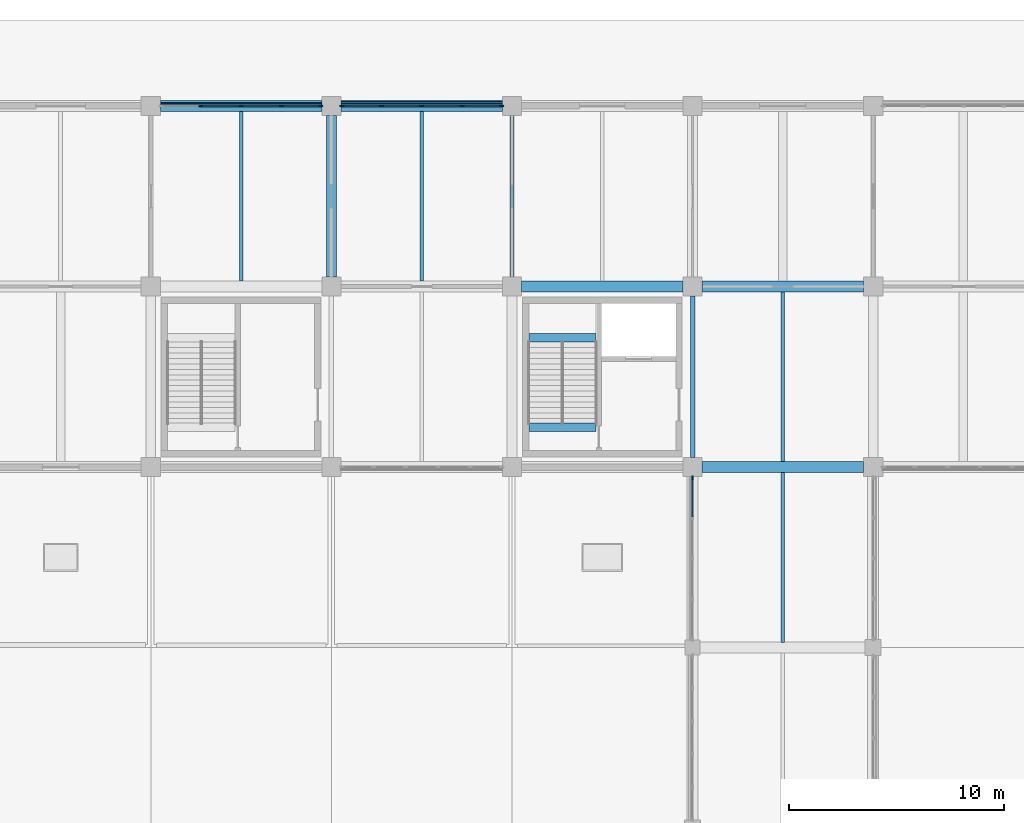
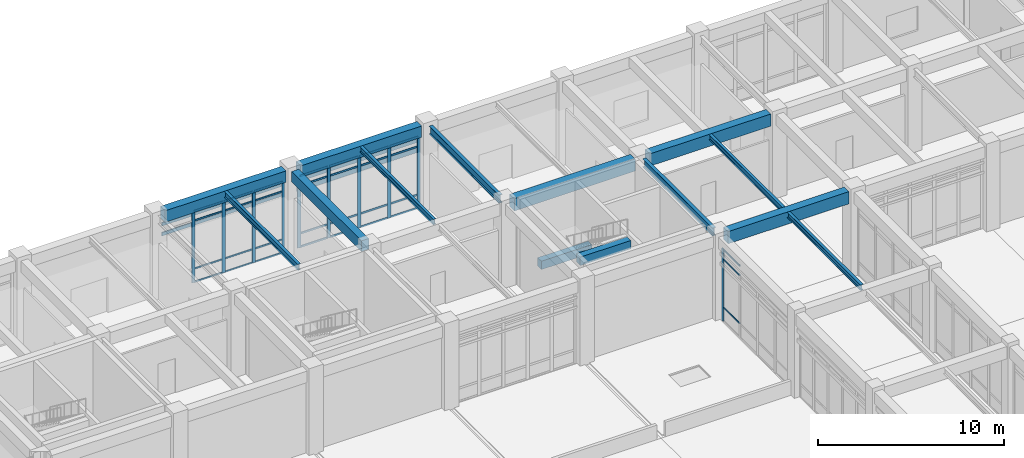
# One storey, part 31 of 91: 45 members, 14 beams, 3 elements without a shape of their own.
"""IFC4 building model written with IfcOpenShell, lengths in metres."""

from ifc_helpers import new_model, si_unit, direction, frame, origin, origin_2d, place, context, subcontext, project, spatial, rectangle, i_section, extrude, material, layer, layer_set, material_profile, profile_set, type_object, element, aggregate, save


model = new_model("IFC4")

# Units and contexts
model_context = context("Model", 3, precision=1e-05, world=origin(), true_north=direction((0.0, 1.0)))
body_context = subcontext(model_context, "Body", "Model", "MODEL_VIEW")
ifc_project = project(units=[si_unit("LENGTHUNIT", "METRE"), si_unit("AREAUNIT", "SQUARE_METRE"), si_unit("VOLUMEUNIT", "CUBIC_METRE"), si_unit("PLANEANGLEUNIT", "RADIAN"), si_unit("MASSUNIT", "GRAM", prefix="KILO")], contexts=[model_context])

# Site, building, storey
site_placement = place(None, origin())
site = spatial("IfcSite", under=ifc_project, at=site_placement, CompositionType="ELEMENT")
building_placement = place(site_placement, origin())
building = spatial("IfcBuilding", under=site, at=building_placement, Name="Porcellanite Civic Hall", CompositionType="ELEMENT")
storey_placement = place(building_placement, origin())
storey = spatial("IfcBuildingStorey", under=building, at=storey_placement, Name="L00", CompositionType="ELEMENT", Elevation=0.0)

# Beams
ifc_material_1 = material(Name="Concrete N50 (50 MPa)", Category="concrete")
ifc_material_profile_1 = material_profile(ifc_material_1, rectangle(XDim=0.39990234375, YDim=0.550048828125, at=origin_2d()), Name="RC-400x550")
ifc_profile_set_1 = profile_set([ifc_material_profile_1], Name="Concrete N50 (50 MPa)")
beam_type_1 = type_object("IfcBeamType", Name="BM-RC550", PredefinedType="JOIST", material=ifc_profile_set_1)
for number, where, z_axis, x_axis, name in (
    (1, (109.98046875, 106.824951171875, 2.425048828125), (1.0, 0.0, 0.0), (0.0, 1.0, 0.0), "Stair landing beam C4 L00"),
    (2, (109.98046875, 102.64990234375, 5.22509765625), (1.0, 0.0, 0.0), (0.0, 1.0, 0.0), "Stair header beam C4 L00"),
):
    element("IfcBeam", number, at=place(storey_placement, frame(where, z_axis=z_axis, x_axis=x_axis)), inside=storey, type_object=beam_type_1, Name=name, PredefinedType="JOIST", context=body_context, shape_type="SweptSolid", body=[
        extrude(rectangle(XDim=0.39990234375, YDim=0.550048828125, at=origin_2d()), origin(), (0.0, 0.0, 1.0), 3.138916015625),
    ])
ifc_material_2 = material(Name="Concrete N50 (50 MPa)", Category="concrete")
ifc_material_profile_2 = material_profile(ifc_material_2, rectangle(XDim=0.449951171875, YDim=0.699951171875, at=origin_2d()), Name="RC-450x700")
ifc_profile_set_2 = profile_set([ifc_material_profile_2], Name="Concrete N50 (50 MPa)")
beam_type_2 = type_object("IfcBeamType", Name="BM-RC700", PredefinedType="BEAM", material=ifc_profile_set_2)
beam_1_placement = place(storey_placement, frame((100.800048828125, 109.6494140625, 5.14990234375), z_axis=(0.0, 1.0, 0.0), x_axis=(-1.0, 0.0, 0.0)))
element("IfcBeam", 3, at=beam_1_placement, inside=storey, type_object=beam_type_2, Name="Beam Y L00 13-14", PredefinedType="BEAM", context=body_context, shape_type="SweptSolid", body=[
    extrude(rectangle(XDim=0.449951171875, YDim=0.699951171875, at=origin_2d()), origin(), (0.0, 0.0, 1.0), 7.5009765625),
])
ifc_material_3 = material(Name="Concrete N50 (50 MPa)", Category="concrete")
ifc_material_profile_3 = material_profile(ifc_material_3, rectangle(XDim=0.5, YDim=0.75, at=origin_2d()), Name="RC-500x750")
ifc_profile_set_3 = profile_set([ifc_material_profile_3], Name="Concrete N50 (50 MPa)")
beam_type_3 = type_object("IfcBeamType", Name="BM-RC750", PredefinedType="SPANDREL", material=ifc_profile_set_3)
for number, where, z_axis, x_axis, name in (
    (4, (92.849609375, 117.60009765625, 5.125), (1.0, 0.0, 0.0), (0.0, 1.0, 0.0), "Beam X L00 12-15"),
    (5, (101.24951171875, 117.60009765625, 5.125), (1.0, 0.0, 0.0), (0.0, 1.0, 0.0), "Beam X L00 13-15"),
):
    element("IfcBeam", number, at=place(storey_placement, frame(where, z_axis=z_axis, x_axis=x_axis)), inside=storey, type_object=beam_type_3, Name=name, PredefinedType="SPANDREL", context=body_context, shape_type="SweptSolid", body=[
        extrude(rectangle(XDim=0.5, YDim=0.75, at=origin_2d()), origin(), (0.0, 0.0, 1.0), 7.5009765625),
    ])
ifc_material_4 = material(Name="Concrete N50 (50 MPa)", Category="concrete")
ifc_material_profile_4 = material_profile(ifc_material_4, rectangle(XDim=0.5, YDim=0.800048828125, at=origin_2d()), Name="RC-500x800")
ifc_profile_set_4 = profile_set([ifc_material_profile_4], Name="Concrete N50 (50 MPa)")
beam_type_4 = type_object("IfcBeamType", Name="BM-RC800", PredefinedType="BEAM", material=ifc_profile_set_4)
for number, where, z_axis, x_axis, name in (
    (6, (109.6494140625, 109.199951171875, 5.10009765625), (1.0, 0.0, 0.0), (0.0, 1.0, 0.0), "Beam X L00 14-14"),
    (7, (118.049560546875, 100.800048828125, 5.10009765625), (1.0, 0.0, 0.0), (0.0, 1.0, 0.0), "Beam X L00 15-13"),
    (8, (118.049560546875, 109.199951171875, 5.10009765625), (1.0, 0.0, 0.0), (0.0, 1.0, 0.0), "Beam X L00 15-14"),
):
    element("IfcBeam", number, at=place(storey_placement, frame(where, z_axis=z_axis, x_axis=x_axis)), inside=storey, type_object=beam_type_4, Name=name, PredefinedType="BEAM", context=body_context, shape_type="SweptSolid", body=[
        extrude(rectangle(XDim=0.5, YDim=0.800048828125, at=origin_2d()), origin(), (0.0, 0.0, 1.0), 7.5009765625),
    ])

# Curtain wall, members
ifc_material_5 = material(Name="Anodised aluminium and solar laminated glass", Category="aluminium")
ifc_layer_1 = layer(ifc_material_5, 0.179931640625)
ifc_layer_set_1 = layer_set([ifc_layer_1], Name="Anodised aluminium and solar laminated glass")
curtain_wall_type_1 = type_object("IfcCurtainWallType", Name="CW-SYS03", PredefinedType="NOTDEFINED", material=ifc_layer_set_1)
curtain_wall_1_placement = place(storey_placement, origin())
curtain_wall_1 = element("IfcCurtainWall", 9, at=curtain_wall_1_placement, inside=storey, type_object=curtain_wall_type_1, Name="Curtain wall CW-036", PredefinedType="NOTDEFINED")
ifc_material_6 = material(Name="Anodised aluminium 6063-T6", Category="aluminium")
ifc_material_profile_5 = material_profile(ifc_material_6, rectangle(XDim=0.080078125, YDim=0.2099609375, at=origin_2d()), Name="AL-80x210")
ifc_profile_set_5 = profile_set([ifc_material_profile_5], Name="Anodised aluminium 6063-T6")
member_type_1 = type_object("IfcMemberType", Name="CWM-02", PredefinedType="MULLION", material=ifc_profile_set_5)
member_1_placement = place(storey_placement, frame((101.291015625, 117.60009765625, 0.0), z_axis=(0.0, 0.0, 1.0), x_axis=(0.0, 1.0, 0.0)))
member_1 = element("IfcMember", 10, at=member_1_placement, type_object=member_type_1, Name="CW-036 mullion 1", PredefinedType="MULLION", context=body_context, shape_type="SweptSolid", body=[
    extrude(rectangle(XDim=0.080078125, YDim=0.2099609375, at=origin_2d()), origin(), (0.0, 0.0, 1.0), 4.699951171875),
])
member_2_placement = place(storey_placement, frame((103.12548828125, 117.60009765625, 0.0), z_axis=(0.0, 0.0, 1.0), x_axis=(0.0, 1.0, 0.0)))
member_2 = element("IfcMember", 11, at=member_2_placement, type_object=member_type_1, Name="CW-036 mullion 2", PredefinedType="MULLION", context=body_context, shape_type="SweptSolid", body=[
    extrude(rectangle(XDim=0.080078125, YDim=0.2099609375, at=origin_2d()), origin(), (0.0, 0.0, 1.0), 4.699951171875),
])
member_3_placement = place(storey_placement, frame((105.0, 117.60009765625, 0.0), z_axis=(0.0, 0.0, 1.0), x_axis=(0.0, 1.0, 0.0)))
member_3 = element("IfcMember", 12, at=member_3_placement, type_object=member_type_1, Name="CW-036 mullion 3", PredefinedType="MULLION", context=body_context, shape_type="SweptSolid", body=[
    extrude(rectangle(XDim=0.080078125, YDim=0.2099609375, at=origin_2d()), origin(), (0.0, 0.0, 1.0), 4.699951171875),
])
member_4_placement = place(storey_placement, frame((106.87451171875, 117.60009765625, 0.0), z_axis=(0.0, 0.0, 1.0), x_axis=(0.0, 1.0, 0.0)))
member_4 = element("IfcMember", 13, at=member_4_placement, type_object=member_type_1, Name="CW-036 mullion 4", PredefinedType="MULLION", context=body_context, shape_type="SweptSolid", body=[
    extrude(rectangle(XDim=0.080078125, YDim=0.2099609375, at=origin_2d()), origin(), (0.0, 0.0, 1.0), 4.699951171875),
])
member_5_placement = place(storey_placement, frame((108.708984375, 117.60009765625, 0.0), z_axis=(0.0, 0.0, 1.0), x_axis=(0.0, 1.0, 0.0)))
member_5 = element("IfcMember", 14, at=member_5_placement, type_object=member_type_1, Name="CW-036 mullion 5", PredefinedType="MULLION", context=body_context, shape_type="SweptSolid", body=[
    extrude(rectangle(XDim=0.080078125, YDim=0.2099609375, at=origin_2d()), origin(), (0.0, 0.0, 1.0), 4.699951171875),
])

ifc_material_7 = material(Name="Anodised aluminium and solar laminated glass", Category="aluminium")
ifc_layer_2 = layer(ifc_material_7, 0.179931640625)
ifc_layer_set_2 = layer_set([ifc_layer_2], Name="Anodised aluminium and solar laminated glass")
curtain_wall_type_2 = type_object("IfcCurtainWallType", Name="CW-SYS04", PredefinedType="NOTDEFINED", material=ifc_layer_set_2)
curtain_wall_2_placement = place(storey_placement, origin())
curtain_wall_2 = element("IfcCurtainWall", 15, at=curtain_wall_2_placement, inside=storey, type_object=curtain_wall_type_2, Name="Curtain wall CW-031", PredefinedType="NOTDEFINED")
ifc_material_8 = material(Name="Anodised aluminium 6063-T6", Category="aluminium")
ifc_material_profile_6 = material_profile(ifc_material_8, rectangle(XDim=0.074951171875, YDim=0.18994140625, at=origin_2d()), Name="AL-75x190")
ifc_profile_set_6 = profile_set([ifc_material_profile_6], Name="Anodised aluminium 6063-T6")
member_type_2 = type_object("IfcMemberType", Name="CWM-04", PredefinedType="MULLION", material=ifc_profile_set_6)
member_6_placement = place(storey_placement, frame((94.7255859375, 117.60009765625, 0.0), z_axis=(0.0, 0.0, 1.0), x_axis=(0.0, 1.0, 0.0)))
member_6 = element("IfcMember", 16, at=member_6_placement, type_object=member_type_2, Name="CW-031 mullion 2", PredefinedType="MULLION", context=body_context, shape_type="SweptSolid", body=[
    extrude(rectangle(XDim=0.074951171875, YDim=0.18994140625, at=origin_2d()), origin(), (0.0, 0.0, 1.0), 4.699951171875),
])
member_7_placement = place(storey_placement, frame((96.60009765625, 117.60009765625, 0.0), z_axis=(0.0, 0.0, 1.0), x_axis=(0.0, 1.0, 0.0)))
member_7 = element("IfcMember", 17, at=member_7_placement, type_object=member_type_2, Name="CW-031 mullion 3", PredefinedType="MULLION", context=body_context, shape_type="SweptSolid", body=[
    extrude(rectangle(XDim=0.074951171875, YDim=0.18994140625, at=origin_2d()), origin(), (0.0, 0.0, 1.0), 4.699951171875),
])
member_8_placement = place(storey_placement, frame((98.474609375, 117.60009765625, 0.0), z_axis=(0.0, 0.0, 1.0), x_axis=(0.0, 1.0, 0.0)))
member_8 = element("IfcMember", 18, at=member_8_placement, type_object=member_type_2, Name="CW-031 mullion 4", PredefinedType="MULLION", context=body_context, shape_type="SweptSolid", body=[
    extrude(rectangle(XDim=0.074951171875, YDim=0.18994140625, at=origin_2d()), origin(), (0.0, 0.0, 1.0), 4.699951171875),
])
member_9_placement = place(storey_placement, frame((100.3115234375, 117.60009765625, 0.0), z_axis=(0.0, 0.0, 1.0), x_axis=(0.0, 1.0, 0.0)))
member_9 = element("IfcMember", 19, at=member_9_placement, type_object=member_type_2, Name="CW-031 mullion 5", PredefinedType="MULLION", context=body_context, shape_type="SweptSolid", body=[
    extrude(rectangle(XDim=0.074951171875, YDim=0.18994140625, at=origin_2d()), origin(), (0.0, 0.0, 1.0), 4.699951171875),
])

# Curtain wall, member
curtain_wall_3_placement = place(storey_placement, origin())
curtain_wall_3 = element("IfcCurtainWall", 20, at=curtain_wall_3_placement, inside=storey, type_object=curtain_wall_type_2, Name="Curtain wall CW-043", PredefinedType="NOTDEFINED")
member_10_placement = place(storey_placement, frame((117.60009765625, 100.3115234375, 0.0), z_axis=(0.0, 0.0, 1.0), x_axis=(-1.0, 0.0, 0.0)))
member_10 = element("IfcMember", 21, at=member_10_placement, type_object=member_type_2, Name="CW-043 mullion 5", PredefinedType="MULLION", context=body_context, shape_type="SweptSolid", body=[
    extrude(rectangle(XDim=0.074951171875, YDim=0.18994140625, at=origin_2d()), origin(), (0.0, 0.0, 1.0), 4.699951171875),
])

# Member
ifc_material_9 = material(Name="Anodised aluminium 6063-T6", Category="aluminium")
ifc_material_profile_7 = material_profile(ifc_material_9, rectangle(XDim=0.054931640625, YDim=0.1201171875, at=origin_2d()), Name="AL-55x120")
ifc_profile_set_7 = profile_set([ifc_material_profile_7], Name="Anodised aluminium 6063-T6")
member_type_3 = type_object("IfcMemberType", Name="CWT-04", PredefinedType="USERDEFINED", material=ifc_profile_set_7)
member_11_placement = place(storey_placement, frame((101.3310546875, 117.60009765625, 0.027587890625), z_axis=(1.0, 0.0, 0.0), x_axis=(0.0, 1.0, 0.0)))
member_11 = element("IfcMember", 22, at=member_11_placement, type_object=member_type_3, Name="CW-036 transom 1.1", ObjectType="TRANSOM", PredefinedType="USERDEFINED", context=body_context, shape_type="SweptSolid", body=[
    extrude(rectangle(XDim=0.054931640625, YDim=0.1201171875, at=origin_2d()), origin(), (0.0, 0.0, 1.0), 1.75439453125),
])

member_12_placement = place(storey_placement, frame((101.3310546875, 117.60009765625, 0.89990234375), z_axis=(1.0, 0.0, 0.0), x_axis=(0.0, 1.0, 0.0)))
member_12 = element("IfcMember", 23, at=member_12_placement, type_object=member_type_3, Name="CW-036 transom 1.2", ObjectType="TRANSOM", PredefinedType="USERDEFINED", context=body_context, shape_type="SweptSolid", body=[
    extrude(rectangle(XDim=0.054931640625, YDim=0.1201171875, at=origin_2d()), origin(), (0.0, 0.0, 1.0), 1.75439453125),
])

member_13_placement = place(storey_placement, frame((101.3310546875, 117.60009765625, 4.050048828125), z_axis=(1.0, 0.0, 0.0), x_axis=(0.0, 1.0, 0.0)))
member_13 = element("IfcMember", 24, at=member_13_placement, type_object=member_type_3, Name="CW-036 transom 1.3", ObjectType="TRANSOM", PredefinedType="USERDEFINED", context=body_context, shape_type="SweptSolid", body=[
    extrude(rectangle(XDim=0.054931640625, YDim=0.1201171875, at=origin_2d()), origin(), (0.0, 0.0, 1.0), 1.75439453125),
])

member_14_placement = place(storey_placement, frame((101.3310546875, 117.60009765625, 4.672607421875), z_axis=(1.0, 0.0, 0.0), x_axis=(0.0, 1.0, 0.0)))
member_14 = element("IfcMember", 25, at=member_14_placement, type_object=member_type_3, Name="CW-036 transom 1.4", ObjectType="TRANSOM", PredefinedType="USERDEFINED", context=body_context, shape_type="SweptSolid", body=[
    extrude(rectangle(XDim=0.054931640625, YDim=0.1201171875, at=origin_2d()), origin(), (0.0, 0.0, 1.0), 1.75439453125),
])

member_15_placement = place(storey_placement, frame((103.16552734375, 117.60009765625, 0.027587890625), z_axis=(1.0, 0.0, 0.0), x_axis=(0.0, 1.0, 0.0)))
member_15 = element("IfcMember", 26, at=member_15_placement, type_object=member_type_3, Name="CW-036 transom 2.1", ObjectType="TRANSOM", PredefinedType="USERDEFINED", context=body_context, shape_type="SweptSolid", body=[
    extrude(rectangle(XDim=0.054931640625, YDim=0.1201171875, at=origin_2d()), origin(), (0.0, 0.0, 1.0), 1.79443359375),
])

member_16_placement = place(storey_placement, frame((103.16552734375, 117.60009765625, 0.89990234375), z_axis=(1.0, 0.0, 0.0), x_axis=(0.0, 1.0, 0.0)))
member_16 = element("IfcMember", 27, at=member_16_placement, type_object=member_type_3, Name="CW-036 transom 2.2", ObjectType="TRANSOM", PredefinedType="USERDEFINED", context=body_context, shape_type="SweptSolid", body=[
    extrude(rectangle(XDim=0.054931640625, YDim=0.1201171875, at=origin_2d()), origin(), (0.0, 0.0, 1.0), 1.79443359375),
])

member_17_placement = place(storey_placement, frame((103.16552734375, 117.60009765625, 4.050048828125), z_axis=(1.0, 0.0, 0.0), x_axis=(0.0, 1.0, 0.0)))
member_17 = element("IfcMember", 28, at=member_17_placement, type_object=member_type_3, Name="CW-036 transom 2.3", ObjectType="TRANSOM", PredefinedType="USERDEFINED", context=body_context, shape_type="SweptSolid", body=[
    extrude(rectangle(XDim=0.054931640625, YDim=0.1201171875, at=origin_2d()), origin(), (0.0, 0.0, 1.0), 1.79443359375),
])

member_18_placement = place(storey_placement, frame((103.16552734375, 117.60009765625, 4.672607421875), z_axis=(1.0, 0.0, 0.0), x_axis=(0.0, 1.0, 0.0)))
member_18 = element("IfcMember", 29, at=member_18_placement, type_object=member_type_3, Name="CW-036 transom 2.4", ObjectType="TRANSOM", PredefinedType="USERDEFINED", context=body_context, shape_type="SweptSolid", body=[
    extrude(rectangle(XDim=0.054931640625, YDim=0.1201171875, at=origin_2d()), origin(), (0.0, 0.0, 1.0), 1.79443359375),
])

member_19_placement = place(storey_placement, frame((105.0400390625, 117.60009765625, 0.027587890625), z_axis=(1.0, 0.0, 0.0), x_axis=(0.0, 1.0, 0.0)))
member_19 = element("IfcMember", 30, at=member_19_placement, type_object=member_type_3, Name="CW-036 transom 3.1", ObjectType="TRANSOM", PredefinedType="USERDEFINED", context=body_context, shape_type="SweptSolid", body=[
    extrude(rectangle(XDim=0.054931640625, YDim=0.1201171875, at=origin_2d()), origin(), (0.0, 0.0, 1.0), 1.79443359375),
])

member_20_placement = place(storey_placement, frame((105.0400390625, 117.60009765625, 0.89990234375), z_axis=(1.0, 0.0, 0.0), x_axis=(0.0, 1.0, 0.0)))
member_20 = element("IfcMember", 31, at=member_20_placement, type_object=member_type_3, Name="CW-036 transom 3.2", ObjectType="TRANSOM", PredefinedType="USERDEFINED", context=body_context, shape_type="SweptSolid", body=[
    extrude(rectangle(XDim=0.054931640625, YDim=0.1201171875, at=origin_2d()), origin(), (0.0, 0.0, 1.0), 1.79443359375),
])

member_21_placement = place(storey_placement, frame((105.0400390625, 117.60009765625, 4.050048828125), z_axis=(1.0, 0.0, 0.0), x_axis=(0.0, 1.0, 0.0)))
member_21 = element("IfcMember", 32, at=member_21_placement, type_object=member_type_3, Name="CW-036 transom 3.3", ObjectType="TRANSOM", PredefinedType="USERDEFINED", context=body_context, shape_type="SweptSolid", body=[
    extrude(rectangle(XDim=0.054931640625, YDim=0.1201171875, at=origin_2d()), origin(), (0.0, 0.0, 1.0), 1.79443359375),
])

member_22_placement = place(storey_placement, frame((105.0400390625, 117.60009765625, 4.672607421875), z_axis=(1.0, 0.0, 0.0), x_axis=(0.0, 1.0, 0.0)))
member_22 = element("IfcMember", 33, at=member_22_placement, type_object=member_type_3, Name="CW-036 transom 3.4", ObjectType="TRANSOM", PredefinedType="USERDEFINED", context=body_context, shape_type="SweptSolid", body=[
    extrude(rectangle(XDim=0.054931640625, YDim=0.1201171875, at=origin_2d()), origin(), (0.0, 0.0, 1.0), 1.79443359375),
])

member_23_placement = place(storey_placement, frame((106.91455078125, 117.60009765625, 0.027587890625), z_axis=(1.0, 0.0, 0.0), x_axis=(0.0, 1.0, 0.0)))
member_23 = element("IfcMember", 34, at=member_23_placement, type_object=member_type_3, Name="CW-036 transom 4.1", ObjectType="TRANSOM", PredefinedType="USERDEFINED", context=body_context, shape_type="SweptSolid", body=[
    extrude(rectangle(XDim=0.054931640625, YDim=0.1201171875, at=origin_2d()), origin(), (0.0, 0.0, 1.0), 1.75439453125),
])

member_24_placement = place(storey_placement, frame((106.91455078125, 117.60009765625, 0.89990234375), z_axis=(1.0, 0.0, 0.0), x_axis=(0.0, 1.0, 0.0)))
member_24 = element("IfcMember", 35, at=member_24_placement, type_object=member_type_3, Name="CW-036 transom 4.2", ObjectType="TRANSOM", PredefinedType="USERDEFINED", context=body_context, shape_type="SweptSolid", body=[
    extrude(rectangle(XDim=0.054931640625, YDim=0.1201171875, at=origin_2d()), origin(), (0.0, 0.0, 1.0), 1.75439453125),
])

member_25_placement = place(storey_placement, frame((106.91455078125, 117.60009765625, 4.050048828125), z_axis=(1.0, 0.0, 0.0), x_axis=(0.0, 1.0, 0.0)))
member_25 = element("IfcMember", 36, at=member_25_placement, type_object=member_type_3, Name="CW-036 transom 4.3", ObjectType="TRANSOM", PredefinedType="USERDEFINED", context=body_context, shape_type="SweptSolid", body=[
    extrude(rectangle(XDim=0.054931640625, YDim=0.1201171875, at=origin_2d()), origin(), (0.0, 0.0, 1.0), 1.75439453125),
])

member_26_placement = place(storey_placement, frame((106.91455078125, 117.60009765625, 4.672607421875), z_axis=(1.0, 0.0, 0.0), x_axis=(0.0, 1.0, 0.0)))
member_26 = element("IfcMember", 37, at=member_26_placement, type_object=member_type_3, Name="CW-036 transom 4.4", ObjectType="TRANSOM", PredefinedType="USERDEFINED", context=body_context, shape_type="SweptSolid", body=[
    extrude(rectangle(XDim=0.054931640625, YDim=0.1201171875, at=origin_2d()), origin(), (0.0, 0.0, 1.0), 1.75439453125),
])

aggregate(curtain_wall_1, [member_1, member_2, member_3, member_4, member_5, member_11, member_12, member_13, member_14, member_15, member_16, member_17, member_18, member_19, member_20, member_21, member_22, member_23, member_24, member_25, member_26])

ifc_material_10 = material(Name="Anodised aluminium 6063-T6", Category="aluminium")
ifc_material_profile_8 = material_profile(ifc_material_10, rectangle(XDim=0.054931640625, YDim=0.10009765625, at=origin_2d()), Name="AL-55x100")
ifc_profile_set_8 = profile_set([ifc_material_profile_8], Name="Anodised aluminium 6063-T6")
member_type_4 = type_object("IfcMemberType", Name="CWT-05", PredefinedType="USERDEFINED", material=ifc_profile_set_8)
member_27_placement = place(storey_placement, frame((94.762939453125, 117.60009765625, 0.027587890625), z_axis=(1.0, 0.0, 0.0), x_axis=(0.0, 1.0, 0.0)))
member_27 = element("IfcMember", 38, at=member_27_placement, type_object=member_type_4, Name="CW-031 transom 2.1", ObjectType="TRANSOM", PredefinedType="USERDEFINED", context=body_context, shape_type="SweptSolid", body=[
    extrude(rectangle(XDim=0.054931640625, YDim=0.10009765625, at=origin_2d()), origin(), (0.0, 0.0, 1.0), 1.799560546875),
])

member_28_placement = place(storey_placement, frame((94.762939453125, 117.60009765625, 0.89990234375), z_axis=(1.0, 0.0, 0.0), x_axis=(0.0, 1.0, 0.0)))
member_28 = element("IfcMember", 39, at=member_28_placement, type_object=member_type_4, Name="CW-031 transom 2.2", ObjectType="TRANSOM", PredefinedType="USERDEFINED", context=body_context, shape_type="SweptSolid", body=[
    extrude(rectangle(XDim=0.054931640625, YDim=0.10009765625, at=origin_2d()), origin(), (0.0, 0.0, 1.0), 1.799560546875),
])

member_29_placement = place(storey_placement, frame((94.762939453125, 117.60009765625, 4.050048828125), z_axis=(1.0, 0.0, 0.0), x_axis=(0.0, 1.0, 0.0)))
member_29 = element("IfcMember", 40, at=member_29_placement, type_object=member_type_4, Name="CW-031 transom 2.3", ObjectType="TRANSOM", PredefinedType="USERDEFINED", context=body_context, shape_type="SweptSolid", body=[
    extrude(rectangle(XDim=0.054931640625, YDim=0.10009765625, at=origin_2d()), origin(), (0.0, 0.0, 1.0), 1.799560546875),
])

member_30_placement = place(storey_placement, frame((94.762939453125, 117.60009765625, 4.672607421875), z_axis=(1.0, 0.0, 0.0), x_axis=(0.0, 1.0, 0.0)))
member_30 = element("IfcMember", 41, at=member_30_placement, type_object=member_type_4, Name="CW-031 transom 2.4", ObjectType="TRANSOM", PredefinedType="USERDEFINED", context=body_context, shape_type="SweptSolid", body=[
    extrude(rectangle(XDim=0.054931640625, YDim=0.10009765625, at=origin_2d()), origin(), (0.0, 0.0, 1.0), 1.799560546875),
])

member_31_placement = place(storey_placement, frame((96.637451171875, 117.60009765625, 0.027587890625), z_axis=(1.0, 0.0, 0.0), x_axis=(0.0, 1.0, 0.0)))
member_31 = element("IfcMember", 42, at=member_31_placement, type_object=member_type_4, Name="CW-031 transom 3.1", ObjectType="TRANSOM", PredefinedType="USERDEFINED", context=body_context, shape_type="SweptSolid", body=[
    extrude(rectangle(XDim=0.054931640625, YDim=0.10009765625, at=origin_2d()), origin(), (0.0, 0.0, 1.0), 1.799560546875),
])

member_32_placement = place(storey_placement, frame((96.637451171875, 117.60009765625, 0.89990234375), z_axis=(1.0, 0.0, 0.0), x_axis=(0.0, 1.0, 0.0)))
member_32 = element("IfcMember", 43, at=member_32_placement, type_object=member_type_4, Name="CW-031 transom 3.2", ObjectType="TRANSOM", PredefinedType="USERDEFINED", context=body_context, shape_type="SweptSolid", body=[
    extrude(rectangle(XDim=0.054931640625, YDim=0.10009765625, at=origin_2d()), origin(), (0.0, 0.0, 1.0), 1.799560546875),
])

member_33_placement = place(storey_placement, frame((96.637451171875, 117.60009765625, 4.050048828125), z_axis=(1.0, 0.0, 0.0), x_axis=(0.0, 1.0, 0.0)))
member_33 = element("IfcMember", 44, at=member_33_placement, type_object=member_type_4, Name="CW-031 transom 3.3", ObjectType="TRANSOM", PredefinedType="USERDEFINED", context=body_context, shape_type="SweptSolid", body=[
    extrude(rectangle(XDim=0.054931640625, YDim=0.10009765625, at=origin_2d()), origin(), (0.0, 0.0, 1.0), 1.799560546875),
])

member_34_placement = place(storey_placement, frame((96.637451171875, 117.60009765625, 4.672607421875), z_axis=(1.0, 0.0, 0.0), x_axis=(0.0, 1.0, 0.0)))
member_34 = element("IfcMember", 45, at=member_34_placement, type_object=member_type_4, Name="CW-031 transom 3.4", ObjectType="TRANSOM", PredefinedType="USERDEFINED", context=body_context, shape_type="SweptSolid", body=[
    extrude(rectangle(XDim=0.054931640625, YDim=0.10009765625, at=origin_2d()), origin(), (0.0, 0.0, 1.0), 1.799560546875),
])

member_35_placement = place(storey_placement, frame((98.511962890625, 117.60009765625, 0.027587890625), z_axis=(1.0, 0.0, 0.0), x_axis=(0.0, 1.0, 0.0)))
member_35 = element("IfcMember", 46, at=member_35_placement, type_object=member_type_4, Name="CW-031 transom 4.1", ObjectType="TRANSOM", PredefinedType="USERDEFINED", context=body_context, shape_type="SweptSolid", body=[
    extrude(rectangle(XDim=0.054931640625, YDim=0.10009765625, at=origin_2d()), origin(), (0.0, 0.0, 1.0), 1.761962890625),
])

member_36_placement = place(storey_placement, frame((98.511962890625, 117.60009765625, 0.89990234375), z_axis=(1.0, 0.0, 0.0), x_axis=(0.0, 1.0, 0.0)))
member_36 = element("IfcMember", 47, at=member_36_placement, type_object=member_type_4, Name="CW-031 transom 4.2", ObjectType="TRANSOM", PredefinedType="USERDEFINED", context=body_context, shape_type="SweptSolid", body=[
    extrude(rectangle(XDim=0.054931640625, YDim=0.10009765625, at=origin_2d()), origin(), (0.0, 0.0, 1.0), 1.761962890625),
])

member_37_placement = place(storey_placement, frame((98.511962890625, 117.60009765625, 4.050048828125), z_axis=(1.0, 0.0, 0.0), x_axis=(0.0, 1.0, 0.0)))
member_37 = element("IfcMember", 48, at=member_37_placement, type_object=member_type_4, Name="CW-031 transom 4.3", ObjectType="TRANSOM", PredefinedType="USERDEFINED", context=body_context, shape_type="SweptSolid", body=[
    extrude(rectangle(XDim=0.054931640625, YDim=0.10009765625, at=origin_2d()), origin(), (0.0, 0.0, 1.0), 1.761962890625),
])

member_38_placement = place(storey_placement, frame((98.511962890625, 117.60009765625, 4.672607421875), z_axis=(1.0, 0.0, 0.0), x_axis=(0.0, 1.0, 0.0)))
member_38 = element("IfcMember", 49, at=member_38_placement, type_object=member_type_4, Name="CW-031 transom 4.4", ObjectType="TRANSOM", PredefinedType="USERDEFINED", context=body_context, shape_type="SweptSolid", body=[
    extrude(rectangle(XDim=0.054931640625, YDim=0.10009765625, at=origin_2d()), origin(), (0.0, 0.0, 1.0), 1.761962890625),
])

aggregate(curtain_wall_2, [member_6, member_7, member_8, member_9, member_27, member_28, member_29, member_30, member_31, member_32, member_33, member_34, member_35, member_36, member_37, member_38])

member_39_placement = place(storey_placement, frame((117.60009765625, 98.487060546875, 0.89990234375), z_axis=(0.0, 1.0, 0.0), x_axis=(-1.0, 0.0, 0.0)))
member_39 = element("IfcMember", 50, at=member_39_placement, type_object=member_type_4, Name="CW-043 transom 4.2", ObjectType="TRANSOM", PredefinedType="USERDEFINED", context=body_context, shape_type="SweptSolid", body=[
    extrude(rectangle(XDim=0.054931640625, YDim=0.10009765625, at=origin_2d()), origin(), (0.0, 0.0, 1.0), 1.786865234375),
])

member_40_placement = place(storey_placement, frame((117.60009765625, 98.487060546875, 4.050048828125), z_axis=(0.0, 1.0, 0.0), x_axis=(-1.0, 0.0, 0.0)))
member_40 = element("IfcMember", 51, at=member_40_placement, type_object=member_type_4, Name="CW-043 transom 4.3", ObjectType="TRANSOM", PredefinedType="USERDEFINED", context=body_context, shape_type="SweptSolid", body=[
    extrude(rectangle(XDim=0.054931640625, YDim=0.10009765625, at=origin_2d()), origin(), (0.0, 0.0, 1.0), 1.786865234375),
])

member_41_placement = place(storey_placement, frame((117.60009765625, 98.487060546875, 4.672607421875), z_axis=(0.0, 1.0, 0.0), x_axis=(-1.0, 0.0, 0.0)))
member_41 = element("IfcMember", 52, at=member_41_placement, type_object=member_type_4, Name="CW-043 transom 4.4", ObjectType="TRANSOM", PredefinedType="USERDEFINED", context=body_context, shape_type="SweptSolid", body=[
    extrude(rectangle(XDim=0.054931640625, YDim=0.10009765625, at=origin_2d()), origin(), (0.0, 0.0, 1.0), 1.786865234375),
])

aggregate(curtain_wall_3, [member_10, member_39, member_40, member_41])

# Beams
ifc_material_11 = material(Name="Steel Grade 350", Category="steel")
ifc_material_profile_9 = material_profile(ifc_material_11, i_section(OverallWidth=0.1708984375, OverallDepth=0.35595703125, WebThickness=0.00732421875, FlangeThickness=0.011474609375, FilletRadius=0.011474609375, at=origin_2d()), Name="360UB50.7")
ifc_profile_set_9 = profile_set([ifc_material_profile_9], Name="Steel Grade 350")
beam_type_5 = type_object("IfcBeamType", Name="JST-360UB51", PredefinedType="JOIST", material=ifc_profile_set_9)
beam_2_placement = place(storey_placement, frame((121.800048828125, 101.049560546875, 5.322021484375), z_axis=(0.0, 1.0, 0.0), x_axis=(-1.0, 0.0, 0.0)))
element("IfcBeam", 53, at=beam_2_placement, inside=storey, type_object=beam_type_5, Name="Secondary joist L00 15-13", PredefinedType="JOIST", context=body_context, shape_type="SweptSolid", body=[
    extrude(i_section(OverallWidth=0.1708984375, OverallDepth=0.35595703125, WebThickness=0.00732421875, FlangeThickness=0.011474609375, FilletRadius=0.011474609375, at=origin_2d()), origin(), (0.0, 0.0, 1.0), 7.90087890625),
])
ifc_material_12 = material(Name="Steel Grade 350", Category="steel")
ifc_material_profile_10 = material_profile(ifc_material_12, i_section(OverallWidth=0.172119140625, OverallDepth=0.35888671875, WebThickness=0.008056640625, FlangeThickness=0.012939453125, FilletRadius=0.011474609375, at=origin_2d()), Name="360UB56.7")
ifc_profile_set_10 = profile_set([ifc_material_profile_10], Name="Steel Grade 350")
beam_type_6 = type_object("IfcBeamType", Name="JST-360UB57", PredefinedType="JOIST", material=ifc_profile_set_10)
for number, where, z_axis, x_axis, name in (
    (54, (105.0, 109.449462890625, 5.320556640625), (0.0, 1.0, 0.0), (-1.0, 0.0, 0.0), "Secondary joist L00 13-14"),
    (55, (121.800048828125, 92.6494140625, 5.320556640625), (0.0, 1.0, 0.0), (-1.0, 0.0, 0.0), "Secondary joist L00 15-12"),
):
    element("IfcBeam", number, at=place(storey_placement, frame(where, z_axis=z_axis, x_axis=x_axis)), inside=storey, type_object=beam_type_6, Name=name, PredefinedType="JOIST", context=body_context, shape_type="SweptSolid", body=[
        extrude(i_section(OverallWidth=0.172119140625, OverallDepth=0.35888671875, WebThickness=0.008056640625, FlangeThickness=0.012939453125, FilletRadius=0.011474609375, at=origin_2d()), origin(), (0.0, 0.0, 1.0), 7.901123046875),
    ])
ifc_material_13 = material(Name="Steel Grade 350", Category="steel")
ifc_material_profile_11 = material_profile(ifc_material_13, i_section(OverallWidth=0.177978515625, OverallDepth=0.403076171875, WebThickness=0.007568359375, FlangeThickness=0.010986328125, FilletRadius=0.011474609375, at=origin_2d()), Name="410UB53.7")
ifc_profile_set_11 = profile_set([ifc_material_profile_11], Name="Steel Grade 350")
beam_type_7 = type_object("IfcBeamType", Name="JST-410UB54", PredefinedType="JOIST", material=ifc_profile_set_11)
beam_3_placement = place(storey_placement, frame((96.60009765625, 109.449462890625, 5.298583984375), z_axis=(0.0, 1.0, 0.0), x_axis=(-1.0, 0.0, 0.0)))
element("IfcBeam", 56, at=beam_3_placement, inside=storey, type_object=beam_type_7, Name="Secondary joist L00 12-14", PredefinedType="JOIST", context=body_context, shape_type="SweptSolid", body=[
    extrude(i_section(OverallWidth=0.177978515625, OverallDepth=0.403076171875, WebThickness=0.007568359375, FlangeThickness=0.010986328125, FilletRadius=0.011474609375, at=origin_2d()), origin(), (0.0, 0.0, 1.0), 7.901123046875),
])

# Members
ifc_material_14 = material(Name="Fluoropolymer bauxite-red aluminium 6063-T6", Category="aluminium")
ifc_material_profile_12 = material_profile(ifc_material_14, rectangle(XDim=0.090087890625, YDim=0.360107421875, at=origin_2d()), Name="AL-90x360")
ifc_profile_set_12 = profile_set([ifc_material_profile_12], Name="Fluoropolymer bauxite-red aluminium 6063-T6")
member_type_5 = type_object("IfcMemberType", Name="LV-BLD01", PredefinedType="USERDEFINED", material=ifc_profile_set_12)
for number, where, z_axis, x_axis, name in (
    (57, (101.24951171875, 117.751953125, 4.39990234375), (1.0, 0.0, 0.0), (0.0, 1.0, 0.0), "Cyclone sunshade louvre L00 N 12-13 1"),
    (58, (101.24951171875, 117.751953125, 3.75), (1.0, 0.0, 0.0), (0.0, 1.0, 0.0), "Cyclone sunshade louvre L00 N 12-13 2"),
):
    element("IfcMember", number, at=place(storey_placement, frame(where, z_axis=z_axis, x_axis=x_axis)), inside=storey, type_object=member_type_5, Name=name, ObjectType="LOUVRE BLADE", PredefinedType="USERDEFINED", context=body_context, shape_type="SweptSolid", body=[
        extrude(rectangle(XDim=0.090087890625, YDim=0.360107421875, at=origin_2d()), origin(), (0.0, 0.0, 1.0), 7.5009765625),
    ])
ifc_material_15 = material(Name="Fluoropolymer bauxite-red aluminium 6063-T6", Category="aluminium")
ifc_material_profile_13 = material_profile(ifc_material_15, rectangle(XDim=0.06005859375, YDim=0.219970703125, at=origin_2d()), Name="AL-60x220")
ifc_profile_set_13 = profile_set([ifc_material_profile_13], Name="Fluoropolymer bauxite-red aluminium 6063-T6")
member_type_6 = type_object("IfcMemberType", Name="LV-BLD08", PredefinedType="USERDEFINED", material=ifc_profile_set_13)
for number, where, z_axis, x_axis, name in (
    (59, (92.849609375, 117.72705078125, 4.39990234375), (1.0, 0.0, 0.0), (0.0, 1.0, 0.0), "Cyclone sunshade louvre L00 N 11-13 1"),
    (60, (92.849609375, 117.72705078125, 3.75), (1.0, 0.0, 0.0), (0.0, 1.0, 0.0), "Cyclone sunshade louvre L00 N 11-13 2"),
):
    element("IfcMember", number, at=place(storey_placement, frame(where, z_axis=z_axis, x_axis=x_axis)), inside=storey, type_object=member_type_6, Name=name, ObjectType="LOUVRE BLADE", PredefinedType="USERDEFINED", context=body_context, shape_type="SweptSolid", body=[
        extrude(rectangle(XDim=0.06005859375, YDim=0.219970703125, at=origin_2d()), origin(), (0.0, 0.0, 1.0), 7.5009765625),
    ])

# Beams
ifc_material_16 = material(Name="Steel Grade 350", Category="steel")
ifc_material_profile_14 = material_profile(ifc_material_16, i_section(OverallWidth=0.208984375, OverallDepth=0.528076171875, WebThickness=0.009521484375, FlangeThickness=0.01318359375, FilletRadius=0.013916015625, at=origin_2d()), Name="530UB82.0")
ifc_profile_set_14 = profile_set([ifc_material_profile_14], Name="Steel Grade 350")
beam_type_8 = type_object("IfcBeamType", Name="RAF-530UB82", PredefinedType="BEAM", material=ifc_profile_set_14)
for number, where, z_axis, x_axis, name in (
    (61, (109.199951171875, 109.6494140625, 5.236083984375), (0.0, 1.0, 0.0), (-1.0, 0.0, 0.0), "Beam Y L00 14-14"),
    (62, (117.60009765625, 101.24951171875, 5.236083984375), (0.0, 1.0, 0.0), (-1.0, 0.0, 0.0), "Beam Y L00 15-13"),
):
    element("IfcBeam", number, at=place(storey_placement, frame(where, z_axis=z_axis, x_axis=x_axis)), inside=storey, type_object=beam_type_8, Name=name, PredefinedType="BEAM", context=body_context, shape_type="SweptSolid", body=[
        extrude(i_section(OverallWidth=0.208984375, OverallDepth=0.528076171875, WebThickness=0.009521484375, FlangeThickness=0.01318359375, FilletRadius=0.013916015625, at=origin_2d()), origin(), (0.0, 0.0, 1.0), 7.5009765625),
    ])

save(model, "model.ifc")
